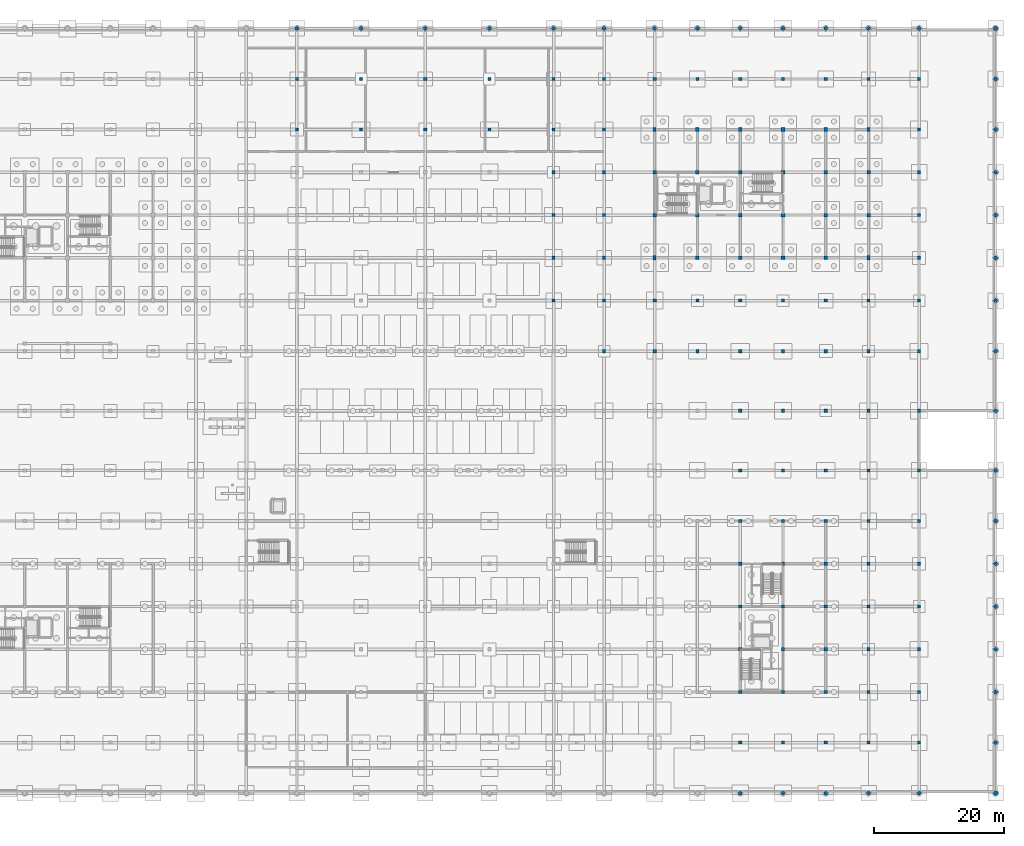
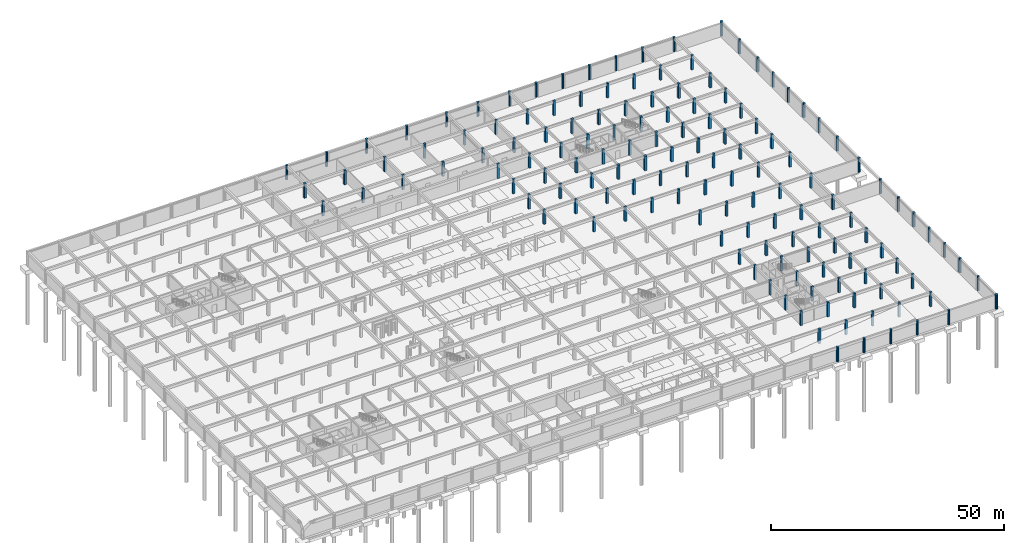
# One storey, part 14 of 37: 145 columns.
"""IFC4 building model written with IfcOpenShell, lengths in metres."""

import ifcopenshell
import ifcopenshell.guid

model = None  # the IFC model being written
_history = None  # IfcOwnerHistory: only IFC2X3 demands one
_inside = {}  # id of a spatial element -> (the spatial element, [elements in it])
_under = {}  # id of a project, library or spatial element -> (it, [spatial elements below it])
_declared = {}  # id of a project -> (the project, [libraries it declares])
_typed = {}  # id of a type object -> (the type object, [elements of that type])
_made_of = {}  # id of a material, layer set ... -> (it, [elements and type objects made of it])


def new_model(schema):
    """Start an empty IFC model of exactly this schema.

    Asked for "IFC4X3", IfcOpenShell would pick the latest addendum, in which some entities
    have other attributes; the version numbers below select the first issue.
    IFC2X3 requires an IfcOwnerHistory on every rooted entity: one is made here for all.
    """
    global model, _history
    if schema == "IFC4X3":
        model = ifcopenshell.file(schema_version=(4, 3, 0, 0))
    else:
        model = ifcopenshell.file(schema=schema)
    _inside.clear()
    _under.clear()
    _declared.clear()
    _typed.clear()
    _made_of.clear()
    _history = None
    if model.schema == "IFC2X3":
        org = make("IfcOrganization", Name="unknown")
        user = make(
            "IfcPersonAndOrganization",
            ThePerson=make("IfcPerson", FamilyName="unknown"),
            TheOrganization=org,
        )
        app = make(
            "IfcApplication",
            ApplicationDeveloper=org,
            Version="unknown",
            ApplicationFullName="unknown",
            ApplicationIdentifier="unknown",
        )
        _history = make(
            "IfcOwnerHistory",
            OwningUser=user,
            OwningApplication=app,
            ChangeAction="ADDED",
            CreationDate=0,
        )
    return model


def make(cls, **values):
    """One entity of the class cls with the attributes given. An attribute that is None is left unset."""
    return model.create_entity(
        cls, **{name: value for name, value in values.items() if value is not None}
    )


def rooted(cls, **values):
    """An entity with a GlobalId (a new one), such as an element, a storey or a relation."""
    return make(cls, GlobalId=ifcopenshell.guid.new(), OwnerHistory=_history, **values)


def si_unit(unit_type, name, prefix=None):
    """IfcSIUnit, for example si_unit("LENGTHUNIT", "METRE", prefix="MILLI")."""
    return make("IfcSIUnit", UnitType=unit_type, Prefix=prefix, Name=name)


def assignment(units):
    """IfcUnitAssignment: the units of a project."""
    return None if units is None else make("IfcUnitAssignment", Units=units)


def point(xyz):
    """IfcCartesianPoint."""
    return None if xyz is None else make("IfcCartesianPoint", Coordinates=xyz)


def direction(xyz):
    """IfcDirection."""
    return None if xyz is None else make("IfcDirection", DirectionRatios=xyz)


def frame(location, z_axis=None, x_axis=None):
    """IfcAxis2Placement3D, a coordinate frame: its origin and axes. An axis left out is left unset."""
    return make(
        "IfcAxis2Placement3D",
        Location=point(location),
        Axis=direction(z_axis),
        RefDirection=direction(x_axis),
    )


def frame_2d(location, x_axis=None):
    """IfcAxis2Placement2D, a coordinate frame in the plane: its origin and x axis."""
    return make(
        "IfcAxis2Placement2D", Location=point(location), RefDirection=direction(x_axis)
    )


def origin():
    """The frame at (0, 0, 0) with its axes left unset."""
    return frame((0.0, 0.0, 0.0))


def origin_2d():
    """The frame at (0, 0) in the plane with its x axis left unset."""
    return frame_2d((0.0, 0.0))


def place(relative_to, where):
    """IfcLocalPlacement: puts the frame where relative to a parent placement (None: the world)."""
    return make(
        "IfcLocalPlacement", PlacementRelTo=relative_to, RelativePlacement=where
    )


def context(
    kind, dimensions, precision=None, world=None, true_north=None, identifier=None
):
    """IfcGeometricRepresentationContext, for example the 3D "Model" context."""
    return make(
        "IfcGeometricRepresentationContext",
        ContextIdentifier=identifier,
        ContextType=kind,
        CoordinateSpaceDimension=dimensions,
        Precision=precision,
        WorldCoordinateSystem=world,
        TrueNorth=true_north,
    )


def subcontext(parent, identifier, kind, view, scale=None):
    """IfcGeometricRepresentationSubContext, for example "Body" below "Model"."""
    return make(
        "IfcGeometricRepresentationSubContext",
        ContextIdentifier=identifier,
        ContextType=kind,
        ParentContext=parent,
        TargetScale=scale,
        TargetView=view,
    )


def project(units=None, contexts=None):
    """IfcProject with its units and contexts."""
    return rooted(
        "IfcProject",
        Name="project",
        RepresentationContexts=contexts,
        UnitsInContext=assignment(units),
    )


def spatial(cls, under=None, at=None, **own):
    """A site, building, storey or space (cls), placed at a placement, below another one or the project."""
    s = rooted(cls, ObjectPlacement=at, **own)
    if under is not None:
        _under.setdefault(under.id(), (under, []))[1].append(s)
    return s


def profile(cls, at=None, kind="AREA", **sizes):
    """A parametric profile (cls). Its sizes go by their IFC names, for example OverallWidth=200.0."""
    return make(cls, ProfileType=kind, Position=at, **sizes)


def rectangle(**sizes):
    """IfcRectangleProfileDef."""
    return profile("IfcRectangleProfileDef", **sizes)


def circle(**sizes):
    """IfcCircleProfileDef."""
    return profile("IfcCircleProfileDef", **sizes)


def extrude(swept, where, along, depth):
    """IfcExtrudedAreaSolid: the profile swept, set in the frame where, extruded along a direction by depth."""
    return make(
        "IfcExtrudedAreaSolid",
        SweptArea=swept,
        Position=where,
        ExtrudedDirection=direction(along),
        Depth=depth,
    )


def shape(context_of_items, identifier, shape_type, items):
    """IfcShapeRepresentation: the items that make up one representation, for example the "Body"."""
    return make(
        "IfcShapeRepresentation",
        ContextOfItems=context_of_items,
        RepresentationIdentifier=identifier,
        RepresentationType=shape_type,
        Items=items,
    )


def material(Name=None, Category=None):
    """IfcMaterial."""
    return make("IfcMaterial", Name=Name, Category=Category)


def material_profile(
    of_material, cross_section, Name=None, Category=None, Priority=None
):
    """IfcMaterialProfile: a cross section and its material."""
    return make(
        "IfcMaterialProfile",
        Name=Name,
        Material=of_material,
        Profile=cross_section,
        Priority=Priority,
        Category=Category,
    )


def profile_set(profiles, Name=None, composite=None):
    """IfcMaterialProfileSet."""
    return make(
        "IfcMaterialProfileSet",
        Name=Name,
        MaterialProfiles=profiles,
        CompositeProfile=composite,
    )


def made_of(thing, what):
    """Note that an element or type object is made of a material, layer set ...; save() writes the relation."""
    if what is not None:
        _made_of.setdefault(what.id(), (what, []))[1].append(thing)
    return thing


def type_object(cls, material=None, **own):
    """A type object (cls), such as IfcWallType, which elements share."""
    return made_of(rooted(cls, **own), material)


def element(
    cls,
    number,
    at=None,
    inside=None,
    cuts=None,
    type_object=None,
    material=None,
    context=None,
    identifier="Body",
    shape_type=None,
    held_by="IfcProductDefinitionShape",
    body=None,
    shapes=None,
    **own,
):
    """One element of the class cls, such as IfcWall. Its Tag is "e" and its number.

    at: its placement. inside: the storey or other place that contains it. cuts: it is an
    opening in that element (IfcRelVoidsElement). A single representation is given by context,
    identifier, shape_type and body (its items); several are given by shapes. held_by: the class
    of the entity that holds the representations. save() writes the other relations.
    """
    e = rooted(cls, Tag="e%d" % number, ObjectPlacement=at, **own)
    if body is not None:
        shapes = [shape(context, identifier, shape_type, body)]
    if shapes is not None:
        e.Representation = make(held_by, Representations=shapes)
    if inside is not None:
        _inside.setdefault(inside.id(), (inside, []))[1].append(e)
    if cuts is not None:
        rooted(
            "IfcRelVoidsElement", RelatingBuildingElement=cuts, RelatedOpeningElement=e
        )
    if type_object is not None:
        _typed.setdefault(type_object.id(), (type_object, []))[1].append(e)
    return made_of(e, material)


def aggregate(whole, parts):
    """IfcRelAggregates: a whole, such as a stair, and the parts it consists of."""
    return rooted("IfcRelAggregates", RelatingObject=whole, RelatedObjects=parts)


def save(model, path):
    """Write the relations noted so far, then the file.

    IfcRelAggregates (storeys below a building ...), IfcRelContainedInSpatialStructure (elements
    in a storey), IfcRelDefinesByType, IfcRelAssociatesMaterial and IfcRelDeclares: one each for
    every whole, place, type object, material and project.
    """
    for whole, parts in _under.values():
        aggregate(whole, parts)
    for where, things in _inside.values():
        rooted(
            "IfcRelContainedInSpatialStructure",
            RelatedElements=things,
            RelatingStructure=where,
        )
    for kind, things in _typed.values():
        rooted("IfcRelDefinesByType", RelatedObjects=things, RelatingType=kind)
    for what, things in _made_of.values():
        rooted("IfcRelAssociatesMaterial", RelatedObjects=things, RelatingMaterial=what)
    for by, libraries in _declared.values():
        rooted("IfcRelDeclares", RelatingContext=by, RelatedDefinitions=libraries)
    model.write(path)


model = new_model("IFC4")

# Units and contexts
model_context = context("Model", 3, precision=1e-05, world=origin(), true_north=direction((0.0, 1.0)))
body_context = subcontext(model_context, "Body", "Model", "MODEL_VIEW")
ifc_project = project(units=[si_unit("LENGTHUNIT", "METRE"), si_unit("AREAUNIT", "SQUARE_METRE"), si_unit("VOLUMEUNIT", "CUBIC_METRE"), si_unit("PLANEANGLEUNIT", "RADIAN"), si_unit("MASSUNIT", "GRAM", prefix="KILO")], contexts=[model_context])

# Site, building, storey
site_placement = place(None, origin())
site = spatial("IfcSite", under=ifc_project, at=site_placement, CompositionType="ELEMENT")
building_placement = place(site_placement, origin())
building = spatial("IfcBuilding", under=site, at=building_placement, Name="Kernevlak Ridge Housing Community", CompositionType="ELEMENT")
storey_placement = place(building_placement, frame((0.0, 0.0, -3.800048828125)))
storey = spatial("IfcBuildingStorey", under=building, at=storey_placement, Name="B1", CompositionType="ELEMENT", Elevation=-3.800048828125)

# Columns
ifc_material = material(Name="Concrete C40/50", Category="concrete")
ifc_material_profile_1 = material_profile(ifc_material, rectangle(XDim=0.550048828125, YDim=0.550048828125, at=origin_2d()), Name="RC 550x550")
ifc_profile_set_1 = profile_set([ifc_material_profile_1], Name="Concrete C40/50")
column_type_1 = type_object("IfcColumnType", Name="C-02", PredefinedType="COLUMN", material=ifc_profile_set_1)
for number, where, z_axis, x_axis, name in (
    (1, (119.39990234375, 89.199951171875, 0.0), (0.0, 0.0, 1.0), (1.0, 0.0, 0.0), "Column C-02 COL-B-B1-00-1"),
    (2, (119.39990234375, 95.800048828125, 0.0), (0.0, 0.0, 1.0), (1.0, 0.0, 0.0), "Column C-02 COL-B-B1-00-2"),
    (3, (126.0, 82.60009765625, 0.0), (0.0, 0.0, 1.0), (1.0, 0.0, 0.0), "Column C-02 COL-B-B1-01-0"),
    (4, (126.0, 89.199951171875, 0.0), (0.0, 0.0, 1.0), (1.0, 0.0, 0.0), "Column C-02 COL-B-B1-01-1"),
    (5, (126.0, 95.800048828125, 0.0), (0.0, 0.0, 1.0), (1.0, 0.0, 0.0), "Column C-02 COL-B-B1-01-2"),
    (6, (126.0, 102.39990234375, 0.0), (0.0, 0.0, 1.0), (1.0, 0.0, 0.0), "Column C-02 COL-B-B1-01-3"),
    (7, (132.60009765625, 82.60009765625, 0.0), (0.0, 0.0, 1.0), (1.0, 0.0, 0.0), "Column C-02 COL-B-B1-02-0"),
    (8, (132.60009765625, 89.199951171875, 0.0), (0.0, 0.0, 1.0), (1.0, 0.0, 0.0), "Column C-02 COL-B-B1-02-1"),
    (9, (132.60009765625, 95.800048828125, 0.0), (0.0, 0.0, 1.0), (1.0, 0.0, 0.0), "Column C-02 COL-B-B1-02-2"),
    (10, (132.60009765625, 102.39990234375, 0.0), (0.0, 0.0, 1.0), (1.0, 0.0, 0.0), "Column C-02 COL-B-B1-02-3"),
    (11, (139.199951171875, 82.60009765625, 0.0), (0.0, 0.0, 1.0), (1.0, 0.0, 0.0), "Column C-02 COL-B-B1-03-0"),
    (12, (139.199951171875, 89.199951171875, 0.0), (0.0, 0.0, 1.0), (1.0, 0.0, 0.0), "Column C-02 COL-B-B1-03-1"),
    (13, (139.199951171875, 95.800048828125, 0.0), (0.0, 0.0, 1.0), (1.0, 0.0, 0.0), "Column C-02 COL-B-B1-03-2"),
    (14, (139.199951171875, 102.39990234375, 0.0), (0.0, 0.0, 1.0), (1.0, 0.0, 0.0), "Column C-02 COL-B-B1-03-3"),
    (15, (145.800048828125, 82.60009765625, 0.0), (0.0, 0.0, 1.0), (1.0, 0.0, 0.0), "Column C-02 COL-B-B1-04-0"),
    (16, (145.800048828125, 89.199951171875, 0.0), (0.0, 0.0, 1.0), (1.0, 0.0, 0.0), "Column C-02 COL-B-B1-04-1"),
    (17, (145.800048828125, 95.800048828125, 0.0), (0.0, 0.0, 1.0), (1.0, 0.0, 0.0), "Column C-02 COL-B-B1-04-2"),
    (18, (145.800048828125, 102.39990234375, 0.0), (0.0, 0.0, 1.0), (1.0, 0.0, 0.0), "Column C-02 COL-B-B1-04-3"),
    (19, (152.39990234375, 89.199951171875, 0.0), (0.0, 0.0, 1.0), (1.0, 0.0, 0.0), "Column C-02 COL-B-B1-05-1"),
    (20, (152.39990234375, 95.800048828125, 0.0), (0.0, 0.0, 1.0), (1.0, 0.0, 0.0), "Column C-02 COL-B-B1-05-2"),
):
    element("IfcColumn", number, at=place(storey_placement, frame(where, z_axis=z_axis, x_axis=x_axis)), inside=storey, type_object=column_type_1, Name=name, PredefinedType="COLUMN", context=body_context, shape_type="SweptSolid", body=[
        extrude(rectangle(XDim=0.550048828125, YDim=0.550048828125, at=origin_2d()), origin(), (0.0, 0.0, 1.0), 3.800048828125),
    ])
ifc_material_profile_2 = material_profile(ifc_material, rectangle(XDim=0.5, YDim=0.5, at=origin_2d()), Name="RC 500x500")
ifc_profile_set_2 = profile_set([ifc_material_profile_2], Name="Concrete C40/50")
column_type_2 = type_object("IfcColumnType", Name="C-03", PredefinedType="COLUMN", material=ifc_profile_set_2)
for number, where, z_axis, x_axis, name in (
    (21, (132.60009765625, 15.60009765625, 0.0), (0.0, 0.0, 1.0), (1.0, 0.0, 0.0), "Column C-03 COL-C-B1-00-1"),
    (22, (139.199951171875, 15.60009765625, 0.0), (0.0, 0.0, 1.0), (1.0, 0.0, 0.0), "Column C-03 COL-C-B1-00-2"),
    (23, (145.800048828125, 15.60009765625, 0.0), (0.0, 0.0, 1.0), (1.0, 0.0, 0.0), "Column C-03 COL-C-B1-00-3"),
    (24, (132.60009765625, 22.199951171875, 0.0), (0.0, 0.0, 1.0), (1.0, 0.0, 0.0), "Column C-03 COL-C-B1-01-1"),
    (25, (139.199951171875, 22.199951171875, 0.0), (0.0, 0.0, 1.0), (1.0, 0.0, 0.0), "Column C-03 COL-C-B1-01-2"),
    (26, (145.800048828125, 22.199951171875, 0.0), (0.0, 0.0, 1.0), (1.0, 0.0, 0.0), "Column C-03 COL-C-B1-01-3"),
    (27, (132.60009765625, 28.800048828125, 0.0), (0.0, 0.0, 1.0), (1.0, 0.0, 0.0), "Column C-03 COL-C-B1-02-1"),
    (28, (139.199951171875, 28.800048828125, 0.0), (0.0, 0.0, 1.0), (1.0, 0.0, 0.0), "Column C-03 COL-C-B1-02-2"),
    (29, (145.800048828125, 28.800048828125, 0.0), (0.0, 0.0, 1.0), (1.0, 0.0, 0.0), "Column C-03 COL-C-B1-02-3"),
    (30, (132.60009765625, 35.39990234375, 0.0), (0.0, 0.0, 1.0), (1.0, 0.0, 0.0), "Column C-03 COL-C-B1-03-1"),
    (31, (139.199951171875, 35.39990234375, 0.0), (0.0, 0.0, 1.0), (1.0, 0.0, 0.0), "Column C-03 COL-C-B1-03-2"),
    (32, (145.800048828125, 35.39990234375, 0.0), (0.0, 0.0, 1.0), (1.0, 0.0, 0.0), "Column C-03 COL-C-B1-03-3"),
    (33, (132.60009765625, 42.0, 0.0), (0.0, 0.0, 1.0), (1.0, 0.0, 0.0), "Column C-03 COL-C-B1-04-1"),
    (34, (139.199951171875, 42.0, 0.0), (0.0, 0.0, 1.0), (1.0, 0.0, 0.0), "Column C-03 COL-C-B1-04-2"),
    (35, (145.800048828125, 42.0, 0.0), (0.0, 0.0, 1.0), (1.0, 0.0, 0.0), "Column C-03 COL-C-B1-04-3"),
    (36, (64.199951171875, 102.39990234375, 0.0), (0.0, 0.0, 1.0), (1.0, 0.0, 0.0), "Column C-03 COL-POD-B1-123"),
    (37, (64.199951171875, 110.199951171875, 0.0), (0.0, 0.0, 1.0), (1.0, 0.0, 0.0), "Column C-03 COL-POD-B1-124"),
    (38, (74.10009765625, 102.39990234375, 0.0), (0.0, 0.0, 1.0), (1.0, 0.0, 0.0), "Column C-03 COL-POD-B1-140"),
    (39, (74.10009765625, 110.199951171875, 0.0), (0.0, 0.0, 1.0), (1.0, 0.0, 0.0), "Column C-03 COL-POD-B1-141"),
    (40, (84.0, 102.39990234375, 0.0), (0.0, 0.0, 1.0), (1.0, 0.0, 0.0), "Column C-03 COL-POD-B1-157"),
    (41, (84.0, 110.199951171875, 0.0), (0.0, 0.0, 1.0), (1.0, 0.0, 0.0), "Column C-03 COL-POD-B1-158"),
    (42, (93.89990234375, 102.39990234375, 0.0), (0.0, 0.0, 1.0), (1.0, 0.0, 0.0), "Column C-03 COL-POD-B1-174"),
    (43, (93.89990234375, 110.199951171875, 0.0), (0.0, 0.0, 1.0), (1.0, 0.0, 0.0), "Column C-03 COL-POD-B1-175"),
    (44, (103.800048828125, 76.0, 0.0), (0.0, 0.0, 1.0), (1.0, 0.0, 0.0), "Column C-03 COL-POD-B1-187"),
    (45, (103.800048828125, 82.60009765625, 0.0), (0.0, 0.0, 1.0), (1.0, 0.0, 0.0), "Column C-03 COL-POD-B1-188"),
    (46, (103.800048828125, 89.199951171875, 0.0), (0.0, 0.0, 1.0), (1.0, 0.0, 0.0), "Column C-03 COL-POD-B1-189"),
    (47, (103.800048828125, 95.800048828125, 0.0), (0.0, 0.0, 1.0), (1.0, 0.0, 0.0), "Column C-03 COL-POD-B1-190"),
    (48, (103.800048828125, 102.39990234375, 0.0), (0.0, 0.0, 1.0), (1.0, 0.0, 0.0), "Column C-03 COL-POD-B1-191"),
    (49, (103.800048828125, 110.199951171875, 0.0), (0.0, 0.0, 1.0), (1.0, 0.0, 0.0), "Column C-03 COL-POD-B1-192"),
    (50, (111.60009765625, 68.199951171875, 0.0), (0.0, 0.0, 1.0), (1.0, 0.0, 0.0), "Column C-03 COL-POD-B1-203"),
    (51, (111.60009765625, 76.0, 0.0), (0.0, 0.0, 1.0), (1.0, 0.0, 0.0), "Column C-03 COL-POD-B1-204"),
    (52, (111.60009765625, 82.60009765625, 0.0), (0.0, 0.0, 1.0), (1.0, 0.0, 0.0), "Column C-03 COL-POD-B1-205"),
    (53, (111.60009765625, 89.199951171875, 0.0), (0.0, 0.0, 1.0), (1.0, 0.0, 0.0), "Column C-03 COL-POD-B1-206"),
    (54, (111.60009765625, 95.800048828125, 0.0), (0.0, 0.0, 1.0), (1.0, 0.0, 0.0), "Column C-03 COL-POD-B1-207"),
    (55, (111.60009765625, 102.39990234375, 0.0), (0.0, 0.0, 1.0), (1.0, 0.0, 0.0), "Column C-03 COL-POD-B1-208"),
    (56, (111.60009765625, 110.199951171875, 0.0), (0.0, 0.0, 1.0), (1.0, 0.0, 0.0), "Column C-03 COL-POD-B1-209"),
    (57, (119.39990234375, 68.199951171875, 0.0), (0.0, 0.0, 1.0), (1.0, 0.0, 0.0), "Column C-03 COL-POD-B1-220"),
    (58, (119.39990234375, 76.0, 0.0), (0.0, 0.0, 1.0), (1.0, 0.0, 0.0), "Column C-03 COL-POD-B1-221"),
    (59, (119.39990234375, 110.199951171875, 0.0), (0.0, 0.0, 1.0), (1.0, 0.0, 0.0), "Column C-03 COL-POD-B1-222"),
    (60, (126.0, 68.199951171875, 0.0), (0.0, 0.0, 1.0), (1.0, 0.0, 0.0), "Column C-03 COL-POD-B1-228"),
    (61, (126.0, 76.0, 0.0), (0.0, 0.0, 1.0), (1.0, 0.0, 0.0), "Column C-03 COL-POD-B1-229"),
    (62, (126.0, 110.199951171875, 0.0), (0.0, 0.0, 1.0), (1.0, 0.0, 0.0), "Column C-03 COL-POD-B1-230"),
    (63, (132.60009765625, 7.800048828125, 0.0), (0.0, 0.0, 1.0), (1.0, 0.0, 0.0), "Column C-03 COL-POD-B1-233"),
    (64, (132.60009765625, 49.800048828125, 0.0), (0.0, 0.0, 1.0), (1.0, 0.0, 0.0), "Column C-03 COL-POD-B1-234"),
    (65, (132.60009765625, 59.0, 0.0), (0.0, 0.0, 1.0), (1.0, 0.0, 0.0), "Column C-03 COL-POD-B1-235"),
    (66, (132.60009765625, 68.199951171875, 0.0), (0.0, 0.0, 1.0), (1.0, 0.0, 0.0), "Column C-03 COL-POD-B1-236"),
    (67, (132.60009765625, 76.0, 0.0), (0.0, 0.0, 1.0), (1.0, 0.0, 0.0), "Column C-03 COL-POD-B1-237"),
    (68, (132.60009765625, 110.199951171875, 0.0), (0.0, 0.0, 1.0), (1.0, 0.0, 0.0), "Column C-03 COL-POD-B1-238"),
    (69, (139.199951171875, 7.800048828125, 0.0), (0.0, 0.0, 1.0), (1.0, 0.0, 0.0), "Column C-03 COL-POD-B1-241"),
    (70, (139.199951171875, 49.800048828125, 0.0), (0.0, 0.0, 1.0), (1.0, 0.0, 0.0), "Column C-03 COL-POD-B1-242"),
    (71, (139.199951171875, 59.0, 0.0), (0.0, 0.0, 1.0), (1.0, 0.0, 0.0), "Column C-03 COL-POD-B1-243"),
    (72, (139.199951171875, 68.199951171875, 0.0), (0.0, 0.0, 1.0), (1.0, 0.0, 0.0), "Column C-03 COL-POD-B1-244"),
    (73, (139.199951171875, 76.0, 0.0), (0.0, 0.0, 1.0), (1.0, 0.0, 0.0), "Column C-03 COL-POD-B1-245"),
    (74, (139.199951171875, 110.199951171875, 0.0), (0.0, 0.0, 1.0), (1.0, 0.0, 0.0), "Column C-03 COL-POD-B1-246"),
    (75, (145.800048828125, 7.800048828125, 0.0), (0.0, 0.0, 1.0), (1.0, 0.0, 0.0), "Column C-03 COL-POD-B1-249"),
    (76, (145.800048828125, 49.800048828125, 0.0), (0.0, 0.0, 1.0), (1.0, 0.0, 0.0), "Column C-03 COL-POD-B1-250"),
    (77, (145.800048828125, 59.0, 0.0), (0.0, 0.0, 1.0), (1.0, 0.0, 0.0), "Column C-03 COL-POD-B1-251"),
    (78, (145.800048828125, 68.199951171875, 0.0), (0.0, 0.0, 1.0), (1.0, 0.0, 0.0), "Column C-03 COL-POD-B1-252"),
    (79, (145.800048828125, 76.0, 0.0), (0.0, 0.0, 1.0), (1.0, 0.0, 0.0), "Column C-03 COL-POD-B1-253"),
    (80, (145.800048828125, 110.199951171875, 0.0), (0.0, 0.0, 1.0), (1.0, 0.0, 0.0), "Column C-03 COL-POD-B1-254"),
    (81, (152.39990234375, 7.800048828125, 0.0), (0.0, 0.0, 1.0), (1.0, 0.0, 0.0), "Column C-03 COL-POD-B1-257"),
    (82, (152.39990234375, 15.60009765625, 0.0), (0.0, 0.0, 1.0), (1.0, 0.0, 0.0), "Column C-03 COL-POD-B1-258"),
    (83, (152.39990234375, 22.199951171875, 0.0), (0.0, 0.0, 1.0), (1.0, 0.0, 0.0), "Column C-03 COL-POD-B1-259"),
    (84, (152.39990234375, 28.800048828125, 0.0), (0.0, 0.0, 1.0), (1.0, 0.0, 0.0), "Column C-03 COL-POD-B1-260"),
    (85, (152.39990234375, 35.39990234375, 0.0), (0.0, 0.0, 1.0), (1.0, 0.0, 0.0), "Column C-03 COL-POD-B1-261"),
    (86, (152.39990234375, 42.0, 0.0), (0.0, 0.0, 1.0), (1.0, 0.0, 0.0), "Column C-03 COL-POD-B1-262"),
    (87, (152.39990234375, 49.800048828125, 0.0), (0.0, 0.0, 1.0), (1.0, 0.0, 0.0), "Column C-03 COL-POD-B1-263"),
    (88, (152.39990234375, 59.0, 0.0), (0.0, 0.0, 1.0), (1.0, 0.0, 0.0), "Column C-03 COL-POD-B1-264"),
    (89, (152.39990234375, 68.199951171875, 0.0), (0.0, 0.0, 1.0), (1.0, 0.0, 0.0), "Column C-03 COL-POD-B1-265"),
    (90, (152.39990234375, 76.0, 0.0), (0.0, 0.0, 1.0), (1.0, 0.0, 0.0), "Column C-03 COL-POD-B1-266"),
    (91, (152.39990234375, 110.199951171875, 0.0), (0.0, 0.0, 1.0), (1.0, 0.0, 0.0), "Column C-03 COL-POD-B1-267"),
    (92, (160.199951171875, 7.800048828125, 0.0), (0.0, 0.0, 1.0), (1.0, 0.0, 0.0), "Column C-03 COL-POD-B1-270"),
    (93, (160.199951171875, 15.60009765625, 0.0), (0.0, 0.0, 1.0), (1.0, 0.0, 0.0), "Column C-03 COL-POD-B1-271"),
    (94, (160.199951171875, 22.199951171875, 0.0), (0.0, 0.0, 1.0), (1.0, 0.0, 0.0), "Column C-03 COL-POD-B1-272"),
    (95, (160.199951171875, 28.800048828125, 0.0), (0.0, 0.0, 1.0), (1.0, 0.0, 0.0), "Column C-03 COL-POD-B1-273"),
    (96, (160.199951171875, 35.39990234375, 0.0), (0.0, 0.0, 1.0), (1.0, 0.0, 0.0), "Column C-03 COL-POD-B1-274"),
    (97, (160.199951171875, 42.0, 0.0), (0.0, 0.0, 1.0), (1.0, 0.0, 0.0), "Column C-03 COL-POD-B1-275"),
    (98, (160.199951171875, 49.800048828125, 0.0), (0.0, 0.0, 1.0), (1.0, 0.0, 0.0), "Column C-03 COL-POD-B1-276"),
    (99, (160.199951171875, 59.0, 0.0), (0.0, 0.0, 1.0), (1.0, 0.0, 0.0), "Column C-03 COL-POD-B1-277"),
    (100, (160.199951171875, 68.199951171875, 0.0), (0.0, 0.0, 1.0), (1.0, 0.0, 0.0), "Column C-03 COL-POD-B1-278"),
    (101, (160.199951171875, 76.0, 0.0), (0.0, 0.0, 1.0), (1.0, 0.0, 0.0), "Column C-03 COL-POD-B1-279"),
    (102, (160.199951171875, 82.60009765625, 0.0), (0.0, 0.0, 1.0), (1.0, 0.0, 0.0), "Column C-03 COL-POD-B1-280"),
    (103, (160.199951171875, 89.199951171875, 0.0), (0.0, 0.0, 1.0), (1.0, 0.0, 0.0), "Column C-03 COL-POD-B1-281"),
    (104, (160.199951171875, 95.800048828125, 0.0), (0.0, 0.0, 1.0), (1.0, 0.0, 0.0), "Column C-03 COL-POD-B1-282"),
    (105, (160.199951171875, 102.39990234375, 0.0), (0.0, 0.0, 1.0), (1.0, 0.0, 0.0), "Column C-03 COL-POD-B1-283"),
    (106, (160.199951171875, 110.199951171875, 0.0), (0.0, 0.0, 1.0), (1.0, 0.0, 0.0), "Column C-03 COL-POD-B1-284"),
):
    element("IfcColumn", number, at=place(storey_placement, frame(where, z_axis=z_axis, x_axis=x_axis)), inside=storey, type_object=column_type_2, Name=name, PredefinedType="COLUMN", context=body_context, shape_type="SweptSolid", body=[
        extrude(rectangle(XDim=0.5, YDim=0.5, at=origin_2d()), origin(), (0.0, 0.0, 1.0), 3.800048828125),
    ])
ifc_material_profile_3 = material_profile(ifc_material, rectangle(XDim=0.449951171875, YDim=0.64990234375, at=origin_2d()), Name="RC 450x650")
ifc_profile_set_3 = profile_set([ifc_material_profile_3], Name="Concrete C40/50")
column_type_3 = type_object("IfcColumnType", Name="C-08", PredefinedType="COLUMN", material=ifc_profile_set_3)
for number, where, z_axis, x_axis, name in (
    (107, (119.39990234375, 82.60009765625, 0.0), (0.0, 0.0, 1.0), (1.0, 0.0, 0.0), "Column C-08 COL-B-B1-00-0"),
    (108, (119.39990234375, 102.39990234375, 0.0), (0.0, 0.0, 1.0), (1.0, 0.0, 0.0), "Column C-08 COL-B-B1-00-3"),
    (109, (152.39990234375, 82.60009765625, 0.0), (0.0, 0.0, 1.0), (1.0, 0.0, 0.0), "Column C-08 COL-B-B1-05-0"),
    (110, (152.39990234375, 102.39990234375, 0.0), (0.0, 0.0, 1.0), (1.0, 0.0, 0.0), "Column C-08 COL-B-B1-05-3"),
):
    element("IfcColumn", number, at=place(storey_placement, frame(where, z_axis=z_axis, x_axis=x_axis)), inside=storey, type_object=column_type_3, Name=name, PredefinedType="COLUMN", context=body_context, shape_type="SweptSolid", body=[
        extrude(rectangle(XDim=0.449951171875, YDim=0.64990234375, at=origin_2d()), origin(), (0.0, 0.0, 1.0), 3.800048828125),
    ])
ifc_material_profile_4 = material_profile(ifc_material, circle(Radius=0.300048828125, at=origin_2d()), Name="RC D600")
ifc_profile_set_4 = profile_set([ifc_material_profile_4], Name="Concrete C40/50")
column_type_4 = type_object("IfcColumnType", Name="C-09", PredefinedType="COLUMN", material=ifc_profile_set_4)
for number, where, z_axis, x_axis, name in (
    (111, (64.199951171875, 118.0, 0.0), (0.0, 0.0, 1.0), (1.0, 0.0, 0.0), "Column C-09 COL-POD-B1-125"),
    (112, (74.10009765625, 118.0, 0.0), (0.0, 0.0, 1.0), (1.0, 0.0, 0.0), "Column C-09 COL-POD-B1-142"),
    (113, (84.0, 118.0, 0.0), (0.0, 0.0, 1.0), (1.0, 0.0, 0.0), "Column C-09 COL-POD-B1-159"),
    (114, (93.89990234375, 118.0, 0.0), (0.0, 0.0, 1.0), (1.0, 0.0, 0.0), "Column C-09 COL-POD-B1-176"),
    (115, (103.800048828125, 118.0, 0.0), (0.0, 0.0, 1.0), (1.0, 0.0, 0.0), "Column C-09 COL-POD-B1-193"),
    (116, (111.60009765625, 118.0, 0.0), (0.0, 0.0, 1.0), (1.0, 0.0, 0.0), "Column C-09 COL-POD-B1-210"),
    (117, (119.39990234375, 118.0, 0.0), (0.0, 0.0, 1.0), (1.0, 0.0, 0.0), "Column C-09 COL-POD-B1-223"),
    (118, (126.0, 118.0, 0.0), (0.0, 0.0, 1.0), (1.0, 0.0, 0.0), "Column C-09 COL-POD-B1-231"),
    (119, (132.60009765625, 0.0, 0.0), (0.0, 0.0, 1.0), (1.0, 0.0, 0.0), "Column C-09 COL-POD-B1-232"),
    (120, (132.60009765625, 118.0, 0.0), (0.0, 0.0, 1.0), (1.0, 0.0, 0.0), "Column C-09 COL-POD-B1-239"),
    (121, (139.199951171875, 0.0, 0.0), (0.0, 0.0, 1.0), (1.0, 0.0, 0.0), "Column C-09 COL-POD-B1-240"),
    (122, (139.199951171875, 118.0, 0.0), (0.0, 0.0, 1.0), (1.0, 0.0, 0.0), "Column C-09 COL-POD-B1-247"),
    (123, (145.800048828125, 0.0, 0.0), (0.0, 0.0, 1.0), (1.0, 0.0, 0.0), "Column C-09 COL-POD-B1-248"),
    (124, (145.800048828125, 118.0, 0.0), (0.0, 0.0, 1.0), (1.0, 0.0, 0.0), "Column C-09 COL-POD-B1-255"),
    (125, (152.39990234375, 0.0, 0.0), (0.0, 0.0, 1.0), (1.0, 0.0, 0.0), "Column C-09 COL-POD-B1-256"),
    (126, (152.39990234375, 118.0, 0.0), (0.0, 0.0, 1.0), (1.0, 0.0, 0.0), "Column C-09 COL-POD-B1-268"),
    (127, (160.199951171875, 0.0, 0.0), (0.0, 0.0, 1.0), (1.0, 0.0, 0.0), "Column C-09 COL-POD-B1-269"),
    (128, (160.199951171875, 118.0, 0.0), (0.0, 0.0, 1.0), (1.0, 0.0, 0.0), "Column C-09 COL-POD-B1-285"),
    (129, (172.0, 7.800048828125, 0.0), (0.0, 0.0, 1.0), (1.0, 0.0, 0.0), "Column C-09 COL-POD-B1-287"),
    (130, (172.0, 15.60009765625, 0.0), (0.0, 0.0, 1.0), (1.0, 0.0, 0.0), "Column C-09 COL-POD-B1-288"),
    (131, (172.0, 22.199951171875, 0.0), (0.0, 0.0, 1.0), (1.0, 0.0, 0.0), "Column C-09 COL-POD-B1-289"),
    (132, (172.0, 28.800048828125, 0.0), (0.0, 0.0, 1.0), (1.0, 0.0, 0.0), "Column C-09 COL-POD-B1-290"),
    (133, (172.0, 35.39990234375, 0.0), (0.0, 0.0, 1.0), (1.0, 0.0, 0.0), "Column C-09 COL-POD-B1-291"),
    (134, (172.0, 42.0, 0.0), (0.0, 0.0, 1.0), (1.0, 0.0, 0.0), "Column C-09 COL-POD-B1-292"),
    (135, (172.0, 49.800048828125, 0.0), (0.0, 0.0, 1.0), (1.0, 0.0, 0.0), "Column C-09 COL-POD-B1-293"),
    (136, (172.0, 59.0, 0.0), (0.0, 0.0, 1.0), (1.0, 0.0, 0.0), "Column C-09 COL-POD-B1-294"),
    (137, (172.0, 68.199951171875, 0.0), (0.0, 0.0, 1.0), (1.0, 0.0, 0.0), "Column C-09 COL-POD-B1-295"),
    (138, (172.0, 76.0, 0.0), (0.0, 0.0, 1.0), (1.0, 0.0, 0.0), "Column C-09 COL-POD-B1-296"),
    (139, (172.0, 82.60009765625, 0.0), (0.0, 0.0, 1.0), (1.0, 0.0, 0.0), "Column C-09 COL-POD-B1-297"),
    (140, (172.0, 89.199951171875, 0.0), (0.0, 0.0, 1.0), (1.0, 0.0, 0.0), "Column C-09 COL-POD-B1-298"),
    (141, (172.0, 95.800048828125, 0.0), (0.0, 0.0, 1.0), (1.0, 0.0, 0.0), "Column C-09 COL-POD-B1-299"),
    (142, (172.0, 102.39990234375, 0.0), (0.0, 0.0, 1.0), (1.0, 0.0, 0.0), "Column C-09 COL-POD-B1-300"),
    (143, (172.0, 110.199951171875, 0.0), (0.0, 0.0, 1.0), (1.0, 0.0, 0.0), "Column C-09 COL-POD-B1-301"),
):
    element("IfcColumn", number, at=place(storey_placement, frame(where, z_axis=z_axis, x_axis=x_axis)), inside=storey, type_object=column_type_4, Name=name, PredefinedType="COLUMN", context=body_context, shape_type="SweptSolid", body=[
        extrude(circle(Radius=0.300048828125, at=origin_2d()), origin(), (0.0, 0.0, 1.0), 3.800048828125),
    ])
ifc_material_profile_5 = material_profile(ifc_material, circle(Radius=0.35009765625, at=origin_2d()), Name="RC D700")
ifc_profile_set_5 = profile_set([ifc_material_profile_5], Name="Concrete C40/50")
column_type_5 = type_object("IfcColumnType", Name="C-12", PredefinedType="COLUMN", material=ifc_profile_set_5)
for number, where, z_axis, x_axis, name in (
    (144, (172.0, 0.0, 0.0), (0.0, 0.0, 1.0), (1.0, 0.0, 0.0), "Column C-12 COL-POD-B1-286"),
    (145, (172.0, 118.0, 0.0), (0.0, 0.0, 1.0), (1.0, 0.0, 0.0), "Column C-12 COL-POD-B1-302"),
):
    element("IfcColumn", number, at=place(storey_placement, frame(where, z_axis=z_axis, x_axis=x_axis)), inside=storey, type_object=column_type_5, Name=name, PredefinedType="COLUMN", context=body_context, shape_type="SweptSolid", body=[
        extrude(circle(Radius=0.35009765625, at=origin_2d()), origin(), (0.0, 0.0, 1.0), 3.800048828125),
    ])

save(model, "model.ifc")
